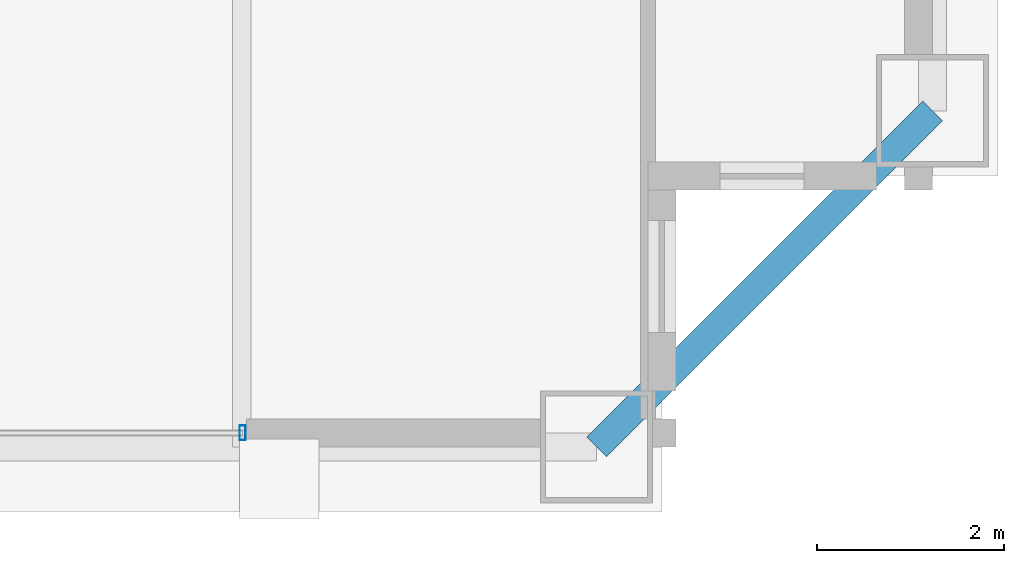
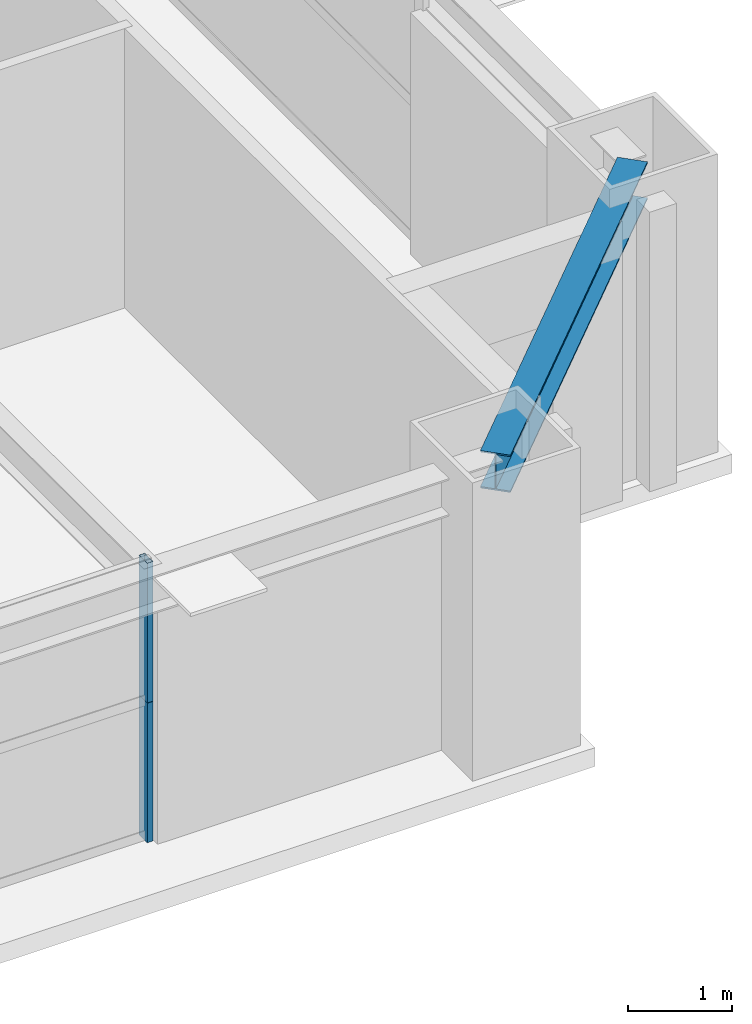
# One storey, part 16 of 37: 2 members, 1 beam, 1 element without a shape of its own.
"""IFC4 building model written with IfcOpenShell, lengths in metres."""

from ifc_helpers import new_model, si_unit, direction, frame, origin, origin_2d, place, context, subcontext, project, spatial, hollow_rectangle, i_section, extrude, source, transform, mapped, material, layer, layer_set, material_profile, profile_set, type_object, element, aggregate, save


model = new_model("IFC4")

# Units and contexts
model_context = context("Model", 3, precision=1e-05, world=origin(), true_north=direction((0.0, 1.0)))
body_context = subcontext(model_context, "Body", "Model", "MODEL_VIEW")
ifc_project = project(units=[si_unit("LENGTHUNIT", "METRE"), si_unit("AREAUNIT", "SQUARE_METRE"), si_unit("VOLUMEUNIT", "CUBIC_METRE"), si_unit("PLANEANGLEUNIT", "RADIAN"), si_unit("MASSUNIT", "GRAM", prefix="KILO"), si_unit("THERMODYNAMICTEMPERATUREUNIT", "KELVIN"), si_unit("POWERUNIT", "WATT")], contexts=[model_context])

# Site, building, storey
site_placement = place(None, origin())
site = spatial("IfcSite", under=ifc_project, at=site_placement, CompositionType="ELEMENT")
building_placement = place(site_placement, origin())
building = spatial("IfcBuilding", under=site, at=building_placement, Name="Yuzanri Waterfront Tower", CompositionType="ELEMENT")
storey_placement = place(building_placement, frame((0.0, 0.0, 268.10009765625)))
storey = spatial("IfcBuildingStorey", under=building, at=storey_placement, Name="L71", CompositionType="ELEMENT", Elevation=268.10009765625)

# Beam
ifc_material_1 = material(Name="Steel Q355B", Category="steel")
ifc_material_profile_1 = material_profile(ifc_material_1, i_section(OverallWidth=0.300048828125, OverallDepth=0.43994140625, WebThickness=0.010986328125, FlangeThickness=0.01806640625, at=origin_2d()), Name="HM 440x300x11x18")
ifc_profile_set_1 = profile_set([ifc_material_profile_1], Name="Steel Q355B")
beam_type = type_object("IfcBeamType", Name="Perimeter Spandrel Q355B HM 440x300", PredefinedType="SPANDREL", material=ifc_profile_set_1)
shared_shape_1 = source(origin(), body_context, "Body", "SweptSolid", [
    extrude(i_section(OverallWidth=0.300048828125, OverallDepth=0.43994140625, WebThickness=0.010986328125, FlangeThickness=0.01806640625, at=origin_2d()), origin(), (0.0, 0.0, 1.0), 5.09130859375),
])
beam_placement = place(storey_placement, frame((54.0, 5.199951171875, 3.059814453125), z_axis=(0.707106781187, 0.707106781187, 0.0), x_axis=(-0.707106781187, 0.707106781187, 0.0)))
element("IfcBeam", 1, at=beam_placement, inside=storey, type_object=beam_type, Name="L71 Perimeter Spandrel S3-E1", PredefinedType="SPANDREL", context=body_context, shape_type="MappedRepresentation", body=[
    mapped(shared_shape_1, transform((0.0, 0.0, 0.0), scale=1.0)),
])

# Curtain wall, members
ifc_material_2 = material(Name="Anodized Architectural Bronze", Category="metal")
ifc_layer = layer(ifc_material_2, 0.159912109375)
ifc_layer_set = layer_set([ifc_layer], Name="Anodized Architectural Bronze")
curtain_wall_type = type_object("IfcCurtainWallType", Name="Anodized Bronze Mid-Rise Residential Acoustic Unitized Curtain Wall 7200", PredefinedType="NOTDEFINED", material=ifc_layer_set)
curtain_wall_placement = place(storey_placement, origin())
curtain_wall = element("IfcCurtainWall", 2, at=curtain_wall_placement, inside=storey, type_object=curtain_wall_type, Name="L71 Curtain Wall CW-L71-SR", PredefinedType="NOTDEFINED")
ifc_material_3 = material(Name="Anodized Architectural Bronze", Category="metal")
ifc_material_profile_2 = material_profile(ifc_material_3, hollow_rectangle(XDim=0.06494140625, YDim=0.159912109375, WallThickness=0.00341796875, at=origin_2d()), Name="CWM 65x160")
ifc_profile_set_2 = profile_set([ifc_material_profile_2], Name="Anodized Architectural Bronze")
member_type = type_object("IfcMemberType", Name="Anodized Bronze Upper-Zone Curtain-Wall Mullion 65x160", PredefinedType="MULLION", material=ifc_profile_set_2)
shared_shape_2 = source(origin(), body_context, "Body", "SweptSolid", [
    extrude(hollow_rectangle(XDim=0.06494140625, YDim=0.159912109375, WallThickness=0.00341796875, at=origin_2d()), origin(), (0.0, 0.0, 1.0), 1.637939453125),
])
member_1_placement = place(storey_placement, frame((50.2099609375, 5.35009765625, 0.0), z_axis=(0.0, 0.0, 1.0), x_axis=(1.0, 0.0, 0.0)))
member_1 = element("IfcMember", 3, at=member_1_placement, type_object=member_type, Name="CW-L71-SR Lower Mullion 02", PredefinedType="MULLION", context=body_context, shape_type="MappedRepresentation", body=[
    mapped(shared_shape_2, transform((0.0, 0.0, 0.0), scale=1.0)),
])
member_2_placement = place(storey_placement, frame((50.2099609375, 5.35009765625, 1.641845703125), z_axis=(0.0, 0.0, 1.0), x_axis=(1.0, 0.0, 0.0)))
member_2 = element("IfcMember", 4, at=member_2_placement, type_object=member_type, Name="CW-L71-SR Upper Mullion 02", PredefinedType="MULLION", context=body_context, shape_type="MappedRepresentation", body=[
    mapped(shared_shape_2, transform((0.0, 0.0, 0.0), scale=1.0)),
])
aggregate(curtain_wall, [member_1, member_2])

save(model, "model.ifc")
